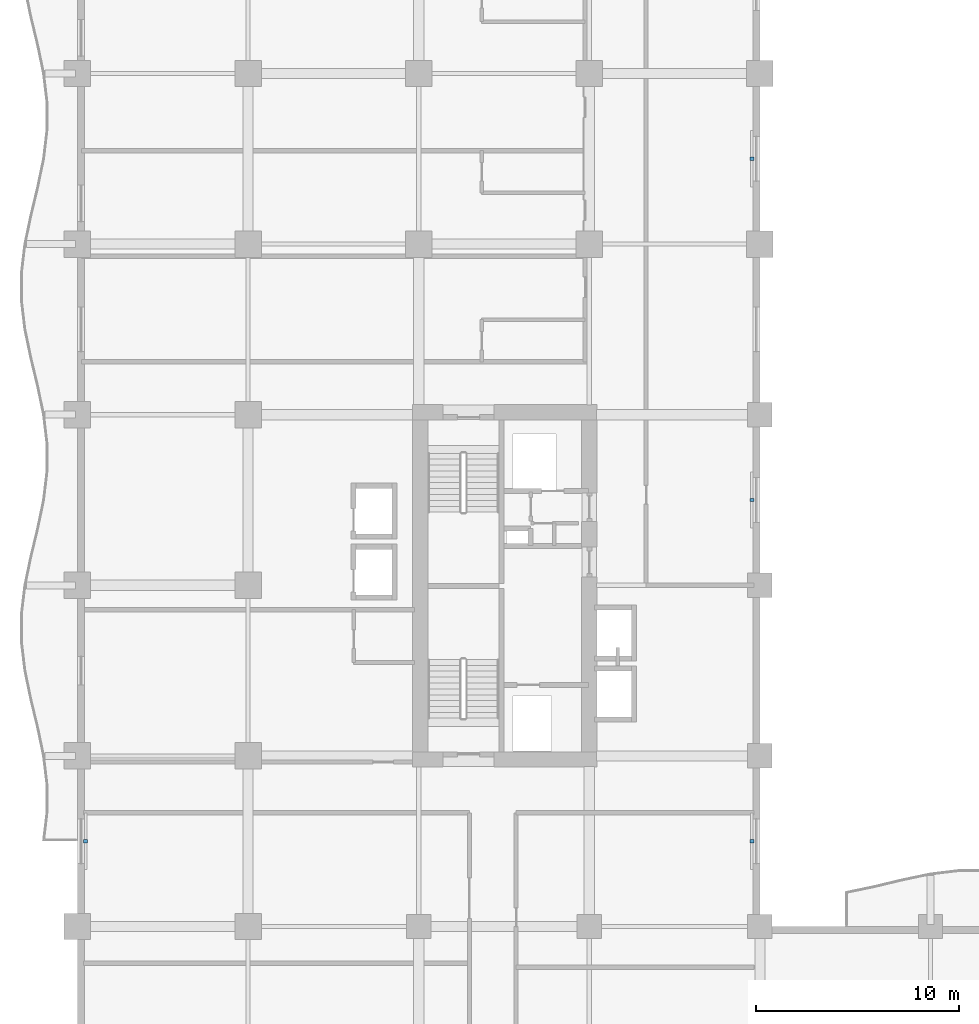
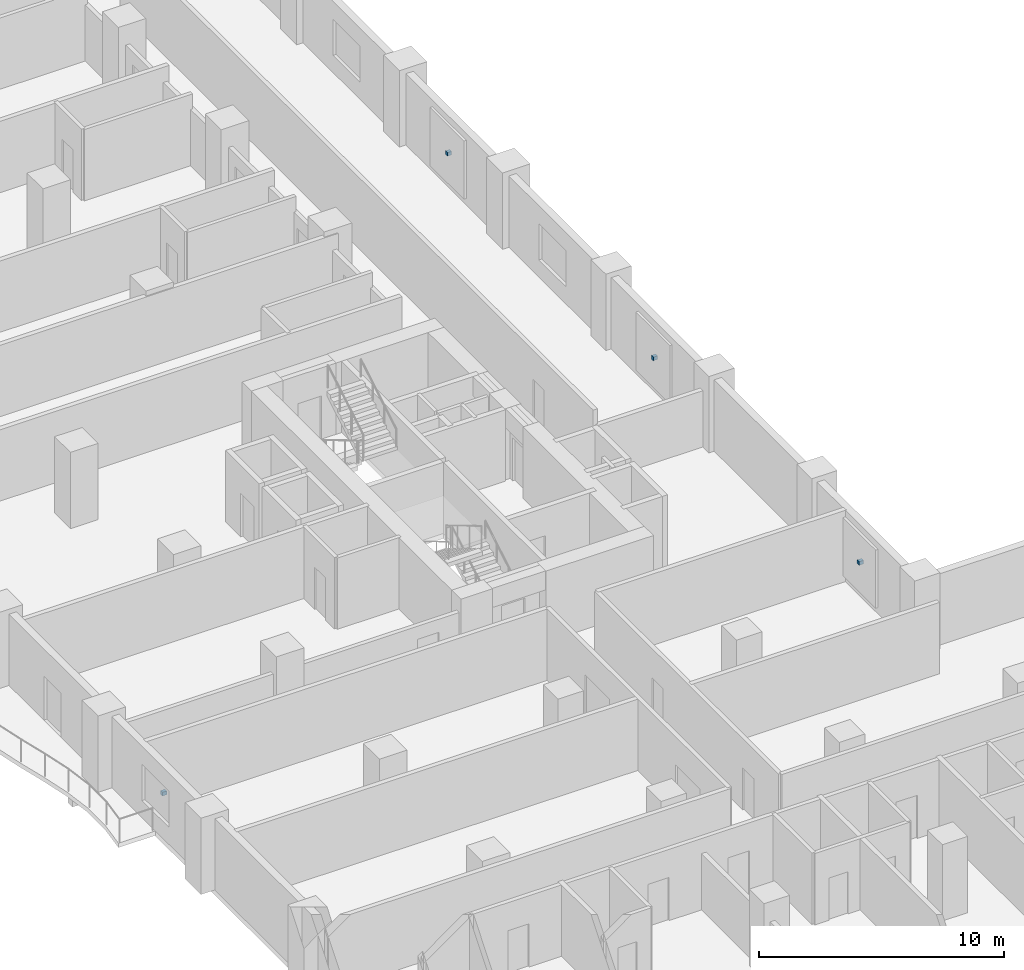
# One storey, part 13 of 17: 4 discrete accessories.
"""IFC4 building model written with IfcOpenShell, lengths in metres."""

import ifcopenshell
import ifcopenshell.guid

model = None  # the IFC model being written
_history = None  # IfcOwnerHistory: only IFC2X3 demands one
_inside = {}  # id of a spatial element -> (the spatial element, [elements in it])
_under = {}  # id of a project, library or spatial element -> (it, [spatial elements below it])
_declared = {}  # id of a project -> (the project, [libraries it declares])
_typed = {}  # id of a type object -> (the type object, [elements of that type])
_made_of = {}  # id of a material, layer set ... -> (it, [elements and type objects made of it])


def new_model(schema):
    """Start an empty IFC model of exactly this schema.

    Asked for "IFC4X3", IfcOpenShell would pick the latest addendum, in which some entities
    have other attributes; the version numbers below select the first issue.
    IFC2X3 requires an IfcOwnerHistory on every rooted entity: one is made here for all.
    """
    global model, _history
    if schema == "IFC4X3":
        model = ifcopenshell.file(schema_version=(4, 3, 0, 0))
    else:
        model = ifcopenshell.file(schema=schema)
    _inside.clear()
    _under.clear()
    _declared.clear()
    _typed.clear()
    _made_of.clear()
    _history = None
    if model.schema == "IFC2X3":
        org = make("IfcOrganization", Name="unknown")
        user = make(
            "IfcPersonAndOrganization",
            ThePerson=make("IfcPerson", FamilyName="unknown"),
            TheOrganization=org,
        )
        app = make(
            "IfcApplication",
            ApplicationDeveloper=org,
            Version="unknown",
            ApplicationFullName="unknown",
            ApplicationIdentifier="unknown",
        )
        _history = make(
            "IfcOwnerHistory",
            OwningUser=user,
            OwningApplication=app,
            ChangeAction="ADDED",
            CreationDate=0,
        )
    return model


def make(cls, **values):
    """One entity of the class cls with the attributes given. An attribute that is None is left unset."""
    return model.create_entity(
        cls, **{name: value for name, value in values.items() if value is not None}
    )


def rooted(cls, **values):
    """An entity with a GlobalId (a new one), such as an element, a storey or a relation."""
    return make(cls, GlobalId=ifcopenshell.guid.new(), OwnerHistory=_history, **values)


def si_unit(unit_type, name, prefix=None):
    """IfcSIUnit, for example si_unit("LENGTHUNIT", "METRE", prefix="MILLI")."""
    return make("IfcSIUnit", UnitType=unit_type, Prefix=prefix, Name=name)


def assignment(units):
    """IfcUnitAssignment: the units of a project."""
    return None if units is None else make("IfcUnitAssignment", Units=units)


def point(xyz):
    """IfcCartesianPoint."""
    return None if xyz is None else make("IfcCartesianPoint", Coordinates=xyz)


def direction(xyz):
    """IfcDirection."""
    return None if xyz is None else make("IfcDirection", DirectionRatios=xyz)


def frame(location, z_axis=None, x_axis=None):
    """IfcAxis2Placement3D, a coordinate frame: its origin and axes. An axis left out is left unset."""
    return make(
        "IfcAxis2Placement3D",
        Location=point(location),
        Axis=direction(z_axis),
        RefDirection=direction(x_axis),
    )


def frame_2d(location, x_axis=None):
    """IfcAxis2Placement2D, a coordinate frame in the plane: its origin and x axis."""
    return make(
        "IfcAxis2Placement2D", Location=point(location), RefDirection=direction(x_axis)
    )


def origin():
    """The frame at (0, 0, 0) with its axes left unset."""
    return frame((0.0, 0.0, 0.0))


def origin_2d():
    """The frame at (0, 0) in the plane with its x axis left unset."""
    return frame_2d((0.0, 0.0))


def place(relative_to, where):
    """IfcLocalPlacement: puts the frame where relative to a parent placement (None: the world)."""
    return make(
        "IfcLocalPlacement", PlacementRelTo=relative_to, RelativePlacement=where
    )


def context(
    kind, dimensions, precision=None, world=None, true_north=None, identifier=None
):
    """IfcGeometricRepresentationContext, for example the 3D "Model" context."""
    return make(
        "IfcGeometricRepresentationContext",
        ContextIdentifier=identifier,
        ContextType=kind,
        CoordinateSpaceDimension=dimensions,
        Precision=precision,
        WorldCoordinateSystem=world,
        TrueNorth=true_north,
    )


def subcontext(parent, identifier, kind, view, scale=None):
    """IfcGeometricRepresentationSubContext, for example "Body" below "Model"."""
    return make(
        "IfcGeometricRepresentationSubContext",
        ContextIdentifier=identifier,
        ContextType=kind,
        ParentContext=parent,
        TargetScale=scale,
        TargetView=view,
    )


def project(units=None, contexts=None):
    """IfcProject with its units and contexts."""
    return rooted(
        "IfcProject",
        Name="project",
        RepresentationContexts=contexts,
        UnitsInContext=assignment(units),
    )


def spatial(cls, under=None, at=None, **own):
    """A site, building, storey or space (cls), placed at a placement, below another one or the project."""
    s = rooted(cls, ObjectPlacement=at, **own)
    if under is not None:
        _under.setdefault(under.id(), (under, []))[1].append(s)
    return s


def profile(cls, at=None, kind="AREA", **sizes):
    """A parametric profile (cls). Its sizes go by their IFC names, for example OverallWidth=200.0."""
    return make(cls, ProfileType=kind, Position=at, **sizes)


def rectangle(**sizes):
    """IfcRectangleProfileDef."""
    return profile("IfcRectangleProfileDef", **sizes)


def extrude(swept, where, along, depth):
    """IfcExtrudedAreaSolid: the profile swept, set in the frame where, extruded along a direction by depth."""
    return make(
        "IfcExtrudedAreaSolid",
        SweptArea=swept,
        Position=where,
        ExtrudedDirection=direction(along),
        Depth=depth,
    )


def shape(context_of_items, identifier, shape_type, items):
    """IfcShapeRepresentation: the items that make up one representation, for example the "Body"."""
    return make(
        "IfcShapeRepresentation",
        ContextOfItems=context_of_items,
        RepresentationIdentifier=identifier,
        RepresentationType=shape_type,
        Items=items,
    )


def material(Name=None, Category=None):
    """IfcMaterial."""
    return make("IfcMaterial", Name=Name, Category=Category)


def made_of(thing, what):
    """Note that an element or type object is made of a material, layer set ...; save() writes the relation."""
    if what is not None:
        _made_of.setdefault(what.id(), (what, []))[1].append(thing)
    return thing


def type_object(cls, material=None, **own):
    """A type object (cls), such as IfcWallType, which elements share."""
    return made_of(rooted(cls, **own), material)


def element(
    cls,
    number,
    at=None,
    inside=None,
    cuts=None,
    type_object=None,
    material=None,
    context=None,
    identifier="Body",
    shape_type=None,
    held_by="IfcProductDefinitionShape",
    body=None,
    shapes=None,
    **own,
):
    """One element of the class cls, such as IfcWall. Its Tag is "e" and its number.

    at: its placement. inside: the storey or other place that contains it. cuts: it is an
    opening in that element (IfcRelVoidsElement). A single representation is given by context,
    identifier, shape_type and body (its items); several are given by shapes. held_by: the class
    of the entity that holds the representations. save() writes the other relations.
    """
    e = rooted(cls, Tag="e%d" % number, ObjectPlacement=at, **own)
    if body is not None:
        shapes = [shape(context, identifier, shape_type, body)]
    if shapes is not None:
        e.Representation = make(held_by, Representations=shapes)
    if inside is not None:
        _inside.setdefault(inside.id(), (inside, []))[1].append(e)
    if cuts is not None:
        rooted(
            "IfcRelVoidsElement", RelatingBuildingElement=cuts, RelatedOpeningElement=e
        )
    if type_object is not None:
        _typed.setdefault(type_object.id(), (type_object, []))[1].append(e)
    return made_of(e, material)


def aggregate(whole, parts):
    """IfcRelAggregates: a whole, such as a stair, and the parts it consists of."""
    return rooted("IfcRelAggregates", RelatingObject=whole, RelatedObjects=parts)


def save(model, path):
    """Write the relations noted so far, then the file.

    IfcRelAggregates (storeys below a building ...), IfcRelContainedInSpatialStructure (elements
    in a storey), IfcRelDefinesByType, IfcRelAssociatesMaterial and IfcRelDeclares: one each for
    every whole, place, type object, material and project.
    """
    for whole, parts in _under.values():
        aggregate(whole, parts)
    for where, things in _inside.values():
        rooted(
            "IfcRelContainedInSpatialStructure",
            RelatedElements=things,
            RelatingStructure=where,
        )
    for kind, things in _typed.values():
        rooted("IfcRelDefinesByType", RelatedObjects=things, RelatingType=kind)
    for what, things in _made_of.values():
        rooted("IfcRelAssociatesMaterial", RelatedObjects=things, RelatingMaterial=what)
    for by, libraries in _declared.values():
        rooted("IfcRelDeclares", RelatingContext=by, RelatedDefinitions=libraries)
    model.write(path)


model = new_model("IFC4")

# Units and contexts
model_context = context("Model", 3, precision=1e-05, world=origin(), true_north=direction((0.0, 1.0)))
body_context = subcontext(model_context, "Body", "Model", "MODEL_VIEW")
ifc_project = project(units=[si_unit("LENGTHUNIT", "METRE"), si_unit("AREAUNIT", "SQUARE_METRE"), si_unit("VOLUMEUNIT", "CUBIC_METRE"), si_unit("PLANEANGLEUNIT", "RADIAN"), si_unit("MASSUNIT", "GRAM", prefix="KILO")], contexts=[model_context])

# Site, building, storey
site_placement = place(None, origin())
site = spatial("IfcSite", under=ifc_project, at=site_placement, CompositionType="ELEMENT")
building_placement = place(site_placement, origin())
building = spatial("IfcBuilding", under=site, at=building_placement, Name="Koriwani Terraces Tower", CompositionType="ELEMENT")
storey_placement = place(building_placement, frame((0.0, 0.0, 122.800048828125)))
storey = spatial("IfcBuildingStorey", under=building, at=storey_placement, Name="L29", CompositionType="ELEMENT", Elevation=122.800048828125)

# Discrete accessories
ifc_material = material(Name="Steel ASTM A572 Grade 50", Category="steel")
discrete_accessory_type = type_object("IfcDiscreteAccessoryType", Name="BAGUETTE_STANDOFF_BRACKET", PredefinedType="BRACKET", material=ifc_material)
for number, where, z_axis, x_axis, name in (
    (1, (0.389892578125, 37.800048828125, 1.68505859375), (0.0, 0.0, 1.0), (0.0, 1.0, 0.0), "L29 Terracotta Baguette Bracket (W-12)"),
    (2, (33.2099609375, 37.800048828125, 1.68505859375), (0.0, 0.0, 1.0), (0.0, -1.0, 0.0), "L29 Terracotta Baguette Bracket (NW_IN-2)"),
    (3, (33.2099609375, 54.60009765625, 1.68505859375), (0.0, 0.0, 1.0), (0.0, -1.0, 0.0), "L29 Terracotta Baguette Bracket (NW_IN-8)"),
    (4, (33.2099609375, 71.39990234375, 1.68505859375), (0.0, 0.0, 1.0), (0.0, -1.0, 0.0), "L29 Terracotta Baguette Bracket (NW_IN-14)"),
):
    element("IfcDiscreteAccessory", number, at=place(storey_placement, frame(where, z_axis=z_axis, x_axis=x_axis)), inside=storey, type_object=discrete_accessory_type, Name=name, PredefinedType="BRACKET", context=body_context, shape_type="SweptSolid", body=[
        extrude(rectangle(XDim=0.159912109375, YDim=0.199951171875, at=origin_2d()), origin(), (0.0, 0.0, 1.0), 0.179931640625),
    ])

save(model, "model.ifc")
